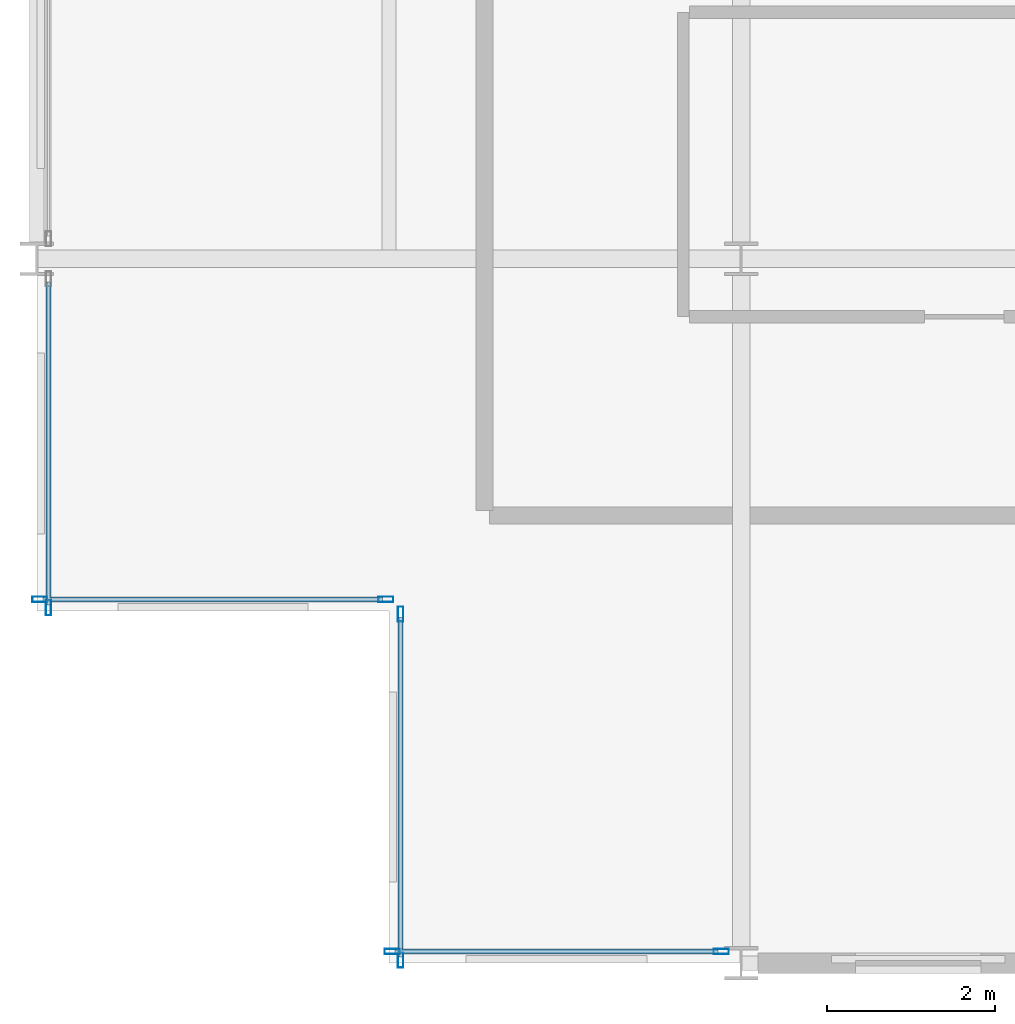
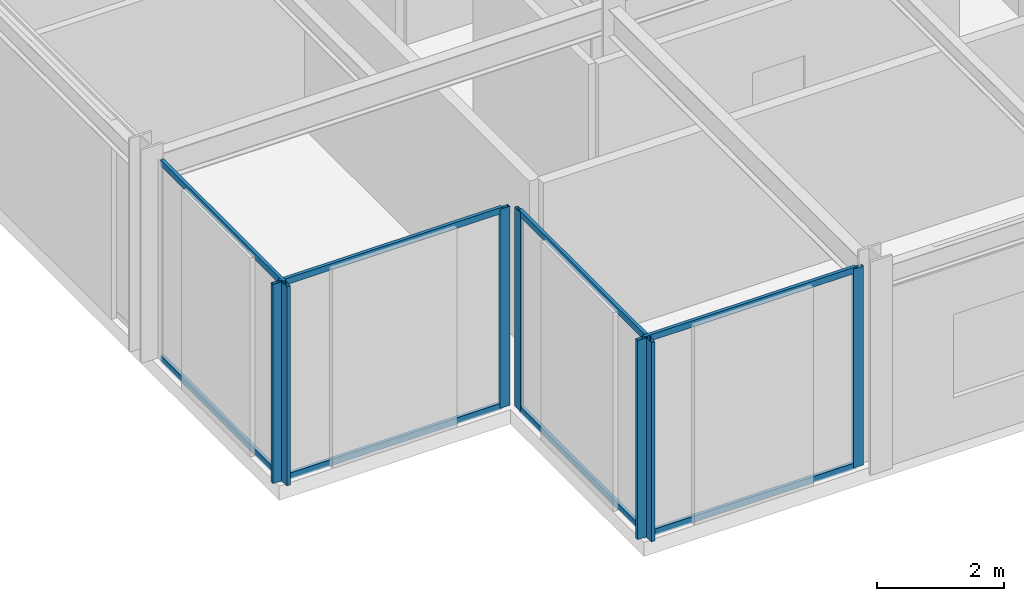
# One storey, part 2 of 29: 15 members, 4 elements without a shape of their own.
"""IFC4 building model written with IfcOpenShell, lengths in metres."""

from ifc_helpers import new_model, si_unit, direction, frame, origin, origin_2d, place, context, subcontext, project, spatial, hollow_rectangle, extrude, material, layer, layer_set, material_profile, profile_set, type_object, element, aggregate, save


model = new_model("IFC4")

# Units and contexts
model_context = context("Model", 3, precision=1e-05, world=origin(), true_north=direction((0.0, 1.0)))
body_context = subcontext(model_context, "Body", "Model", "MODEL_VIEW")
ifc_project = project(units=[si_unit("LENGTHUNIT", "METRE"), si_unit("AREAUNIT", "SQUARE_METRE"), si_unit("VOLUMEUNIT", "CUBIC_METRE"), si_unit("PLANEANGLEUNIT", "RADIAN"), si_unit("MASSUNIT", "GRAM", prefix="KILO")], contexts=[model_context])

# Site, building, storey
site_placement = place(None, origin())
site = spatial("IfcSite", under=ifc_project, at=site_placement, CompositionType="ELEMENT")
building_placement = place(site_placement, origin())
building = spatial("IfcBuilding", under=site, at=building_placement, Name="Nerrivon Quay Data Exchange", CompositionType="ELEMENT")
storey_placement = place(building_placement, frame((0.0, 0.0, 133.60009765625)))
storey = spatial("IfcBuildingStorey", under=building, at=storey_placement, Name="L31", CompositionType="ELEMENT", Elevation=133.60009765625)

# Curtain wall, members
ifc_material = material(Name="Anodised aluminium 6063-T6", Category="aluminium")
ifc_layer = layer(ifc_material, 0.2099609375)
ifc_layer_set = layer_set([ifc_layer], Name="Anodised aluminium 6063-T6")
curtain_wall_type = type_object("IfcCurtainWallType", Name="CW-SYS-02", PredefinedType="NOTDEFINED", material=ifc_layer_set)
curtain_wall_1_placement = place(storey_placement, origin())
curtain_wall_1 = element("IfcCurtainWall", 1, at=curtain_wall_1_placement, inside=storey, type_object=curtain_wall_type, Name="L31 Unitised Curtain Wall 8", PredefinedType="NOTDEFINED")
ifc_material_profile_1 = material_profile(ifc_material, hollow_rectangle(XDim=0.06494140625, YDim=0.179931640625, WallThickness=0.00341796875, at=origin_2d()), Name="ALU-MULL-180x65")
ifc_profile_set_1 = profile_set([ifc_material_profile_1], Name="Anodised aluminium 6063-T6")
member_type_1 = type_object("IfcMemberType", Name="CWM-180x65", PredefinedType="MULLION", material=ifc_profile_set_1)
member_1_placement = place(storey_placement, frame((8.16259765625, 0.139892578125, 0.0), z_axis=(0.0, 0.0, 1.0), x_axis=(0.0, -1.0, 0.0)))
member_1 = element("IfcMember", 2, at=member_1_placement, type_object=member_type_1, Name="CW02 mullion 1", PredefinedType="MULLION", context=body_context, shape_type="SweptSolid", body=[
    extrude(hollow_rectangle(XDim=0.06494140625, YDim=0.179931640625, WallThickness=0.00341796875, at=origin_2d()), origin(), (0.0, 0.0, 1.0), 3.824951171875),
])
member_2_placement = place(storey_placement, frame((4.237548828125, 0.139892578125, 0.0), z_axis=(0.0, 0.0, 1.0), x_axis=(0.0, -1.0, 0.0)))
member_2 = element("IfcMember", 3, at=member_2_placement, type_object=member_type_1, Name="CW02 mullion 2", PredefinedType="MULLION", context=body_context, shape_type="SweptSolid", body=[
    extrude(hollow_rectangle(XDim=0.06494140625, YDim=0.179931640625, WallThickness=0.00341796875, at=origin_2d()), origin(), (0.0, 0.0, 1.0), 3.824951171875),
])

curtain_wall_2_placement = place(storey_placement, origin())
curtain_wall_2 = element("IfcCurtainWall", 4, at=curtain_wall_2_placement, inside=storey, type_object=curtain_wall_type, Name="L31 Unitised Curtain Wall 9", PredefinedType="NOTDEFINED")
member_3_placement = place(storey_placement, frame((4.340087890625, 0.03759765625, 0.0), z_axis=(0.0, 0.0, 1.0), x_axis=(-1.0, 0.0, 0.0)))
member_3 = element("IfcMember", 5, at=member_3_placement, type_object=member_type_1, Name="CW02 mullion 1", PredefinedType="MULLION", context=body_context, shape_type="SweptSolid", body=[
    extrude(hollow_rectangle(XDim=0.06494140625, YDim=0.179931640625, WallThickness=0.00341796875, at=origin_2d()), origin(), (0.0, 0.0, 1.0), 3.824951171875),
])
member_4_placement = place(storey_placement, frame((4.340087890625, 4.16259765625, 0.0), z_axis=(0.0, 0.0, 1.0), x_axis=(-1.0, 0.0, 0.0)))
member_4 = element("IfcMember", 6, at=member_4_placement, type_object=member_type_1, Name="CW02 mullion 2", PredefinedType="MULLION", context=body_context, shape_type="SweptSolid", body=[
    extrude(hollow_rectangle(XDim=0.06494140625, YDim=0.179931640625, WallThickness=0.00341796875, at=origin_2d()), origin(), (0.0, 0.0, 1.0), 3.824951171875),
])

curtain_wall_3_placement = place(storey_placement, origin())
curtain_wall_3 = element("IfcCurtainWall", 7, at=curtain_wall_3_placement, inside=storey, type_object=curtain_wall_type, Name="L31 Unitised Curtain Wall 10", PredefinedType="NOTDEFINED")
member_5_placement = place(storey_placement, frame((4.16259765625, 4.340087890625, 0.0), z_axis=(0.0, 0.0, 1.0), x_axis=(0.0, -1.0, 0.0)))
member_5 = element("IfcMember", 8, at=member_5_placement, type_object=member_type_1, Name="CW02 mullion 1", PredefinedType="MULLION", context=body_context, shape_type="SweptSolid", body=[
    extrude(hollow_rectangle(XDim=0.06494140625, YDim=0.179931640625, WallThickness=0.00341796875, at=origin_2d()), origin(), (0.0, 0.0, 1.0), 3.824951171875),
])
member_6_placement = place(storey_placement, frame((0.03759765625, 4.340087890625, 0.0), z_axis=(0.0, 0.0, 1.0), x_axis=(0.0, -1.0, 0.0)))
member_6 = element("IfcMember", 9, at=member_6_placement, type_object=member_type_1, Name="CW02 mullion 2", PredefinedType="MULLION", context=body_context, shape_type="SweptSolid", body=[
    extrude(hollow_rectangle(XDim=0.06494140625, YDim=0.179931640625, WallThickness=0.00341796875, at=origin_2d()), origin(), (0.0, 0.0, 1.0), 3.824951171875),
])

# Curtain wall, member
curtain_wall_4_placement = place(storey_placement, origin())
curtain_wall_4 = element("IfcCurtainWall", 10, at=curtain_wall_4_placement, inside=storey, type_object=curtain_wall_type, Name="L31 Unitised Curtain Wall 11", PredefinedType="NOTDEFINED")
member_7_placement = place(storey_placement, frame((0.139892578125, 4.237548828125, 0.0), z_axis=(0.0, 0.0, 1.0), x_axis=(-1.0, 0.0, 0.0)))
member_7 = element("IfcMember", 11, at=member_7_placement, type_object=member_type_1, Name="CW02 mullion 1", PredefinedType="MULLION", context=body_context, shape_type="SweptSolid", body=[
    extrude(hollow_rectangle(XDim=0.06494140625, YDim=0.179931640625, WallThickness=0.00341796875, at=origin_2d()), origin(), (0.0, 0.0, 1.0), 3.824951171875),
])

# Member
ifc_material_profile_2 = material_profile(ifc_material, hollow_rectangle(XDim=0.06005859375, YDim=0.1201171875, WallThickness=0.003173828125, at=origin_2d()), Name="ALU-TRAN-120x60")
ifc_profile_set_2 = profile_set([ifc_material_profile_2], Name="Anodised aluminium 6063-T6")
member_type_2 = type_object("IfcMemberType", Name="CWT-120x60", PredefinedType="USERDEFINED", material=ifc_profile_set_2)
member_8_placement = place(storey_placement, frame((8.125, 0.139892578125, 0.032470703125), z_axis=(-1.0, 0.0, 0.0), x_axis=(0.0, -1.0, 0.0)))
member_8 = element("IfcMember", 12, at=member_8_placement, type_object=member_type_2, Name="CW02 transom 1.1", ObjectType="TRANSOM", PredefinedType="USERDEFINED", context=body_context, shape_type="SweptSolid", body=[
    extrude(hollow_rectangle(XDim=0.06005859375, YDim=0.1201171875, WallThickness=0.003173828125, at=origin_2d()), origin(), (0.0, 0.0, 1.0), 3.85009765625),
])

member_9_placement = place(storey_placement, frame((8.125, 0.139892578125, 3.79248046875), z_axis=(-1.0, 0.0, 0.0), x_axis=(0.0, -1.0, 0.0)))
member_9 = element("IfcMember", 13, at=member_9_placement, type_object=member_type_2, Name="CW02 transom 1.2", ObjectType="TRANSOM", PredefinedType="USERDEFINED", context=body_context, shape_type="SweptSolid", body=[
    extrude(hollow_rectangle(XDim=0.06005859375, YDim=0.1201171875, WallThickness=0.003173828125, at=origin_2d()), origin(), (0.0, 0.0, 1.0), 3.85009765625),
])

aggregate(curtain_wall_1, [member_1, member_2, member_8, member_9])

member_10_placement = place(storey_placement, frame((4.340087890625, 0.074951171875, 0.032470703125), z_axis=(0.0, 1.0, 0.0), x_axis=(-1.0, 0.0, 0.0)))
member_10 = element("IfcMember", 14, at=member_10_placement, type_object=member_type_2, Name="CW02 transom 1.1", ObjectType="TRANSOM", PredefinedType="USERDEFINED", context=body_context, shape_type="SweptSolid", body=[
    extrude(hollow_rectangle(XDim=0.06005859375, YDim=0.1201171875, WallThickness=0.003173828125, at=origin_2d()), origin(), (0.0, 0.0, 1.0), 4.050048828125),
])

member_11_placement = place(storey_placement, frame((4.340087890625, 0.074951171875, 3.79248046875), z_axis=(0.0, 1.0, 0.0), x_axis=(-1.0, 0.0, 0.0)))
member_11 = element("IfcMember", 15, at=member_11_placement, type_object=member_type_2, Name="CW02 transom 1.2", ObjectType="TRANSOM", PredefinedType="USERDEFINED", context=body_context, shape_type="SweptSolid", body=[
    extrude(hollow_rectangle(XDim=0.06005859375, YDim=0.1201171875, WallThickness=0.003173828125, at=origin_2d()), origin(), (0.0, 0.0, 1.0), 4.050048828125),
])

aggregate(curtain_wall_2, [member_3, member_4, member_10, member_11])

member_12_placement = place(storey_placement, frame((4.125, 4.340087890625, 0.032470703125), z_axis=(-1.0, 0.0, 0.0), x_axis=(0.0, -1.0, 0.0)))
member_12 = element("IfcMember", 16, at=member_12_placement, type_object=member_type_2, Name="CW02 transom 1.1", ObjectType="TRANSOM", PredefinedType="USERDEFINED", context=body_context, shape_type="SweptSolid", body=[
    extrude(hollow_rectangle(XDim=0.06005859375, YDim=0.1201171875, WallThickness=0.003173828125, at=origin_2d()), origin(), (0.0, 0.0, 1.0), 4.050048828125),
])

member_13_placement = place(storey_placement, frame((4.125, 4.340087890625, 3.79248046875), z_axis=(-1.0, 0.0, 0.0), x_axis=(0.0, -1.0, 0.0)))
member_13 = element("IfcMember", 17, at=member_13_placement, type_object=member_type_2, Name="CW02 transom 1.2", ObjectType="TRANSOM", PredefinedType="USERDEFINED", context=body_context, shape_type="SweptSolid", body=[
    extrude(hollow_rectangle(XDim=0.06005859375, YDim=0.1201171875, WallThickness=0.003173828125, at=origin_2d()), origin(), (0.0, 0.0, 1.0), 4.050048828125),
])

aggregate(curtain_wall_3, [member_5, member_6, member_12, member_13])

member_14_placement = place(storey_placement, frame((0.139892578125, 4.27490234375, 0.032470703125), z_axis=(0.0, 1.0, 0.0), x_axis=(-1.0, 0.0, 0.0)))
member_14 = element("IfcMember", 18, at=member_14_placement, type_object=member_type_2, Name="CW02 transom 1.1", ObjectType="TRANSOM", PredefinedType="USERDEFINED", context=body_context, shape_type="SweptSolid", body=[
    extrude(hollow_rectangle(XDim=0.06005859375, YDim=0.1201171875, WallThickness=0.003173828125, at=origin_2d()), origin(), (0.0, 0.0, 1.0), 3.85009765625),
])

member_15_placement = place(storey_placement, frame((0.139892578125, 4.27490234375, 3.79248046875), z_axis=(0.0, 1.0, 0.0), x_axis=(-1.0, 0.0, 0.0)))
member_15 = element("IfcMember", 19, at=member_15_placement, type_object=member_type_2, Name="CW02 transom 1.2", ObjectType="TRANSOM", PredefinedType="USERDEFINED", context=body_context, shape_type="SweptSolid", body=[
    extrude(hollow_rectangle(XDim=0.06005859375, YDim=0.1201171875, WallThickness=0.003173828125, at=origin_2d()), origin(), (0.0, 0.0, 1.0), 3.85009765625),
])

aggregate(curtain_wall_4, [member_7, member_14, member_15])

save(model, "model.ifc")
